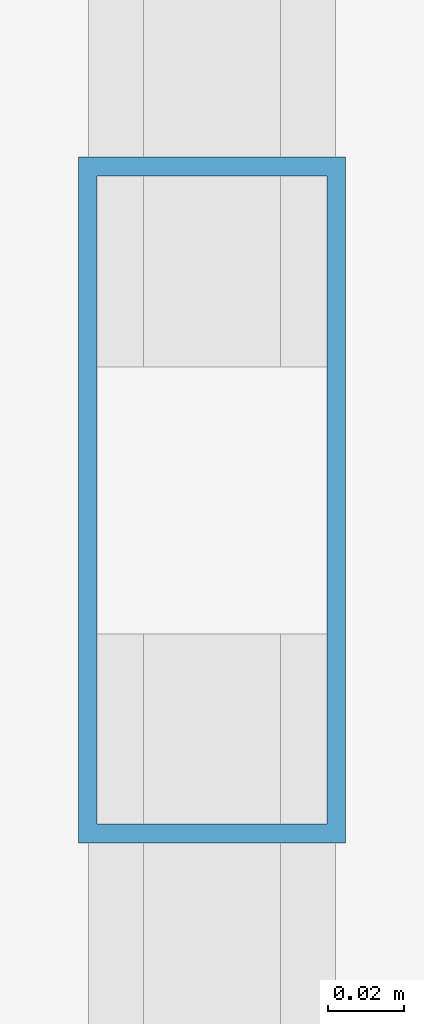
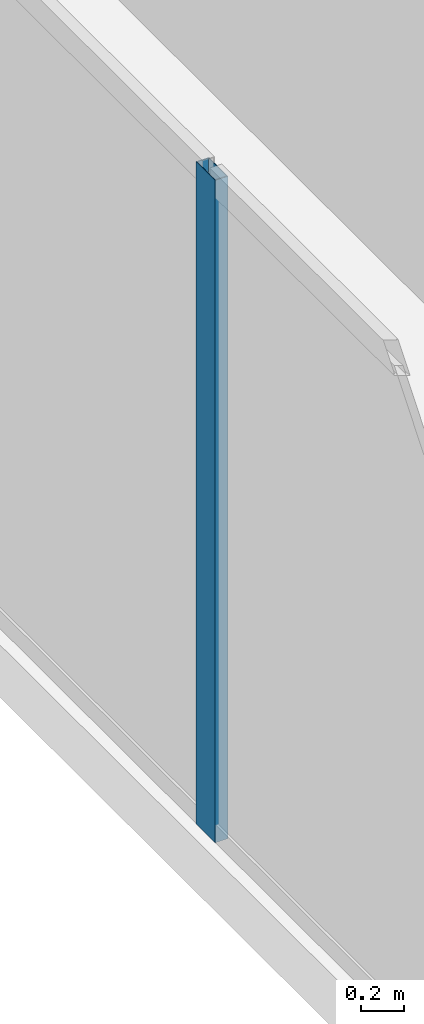
# One storey, part 9 of 33: 1 member, 1 element without a shape of its own.
"""IFC4 building model written with IfcOpenShell, lengths in metres."""

from ifc_helpers import new_model, si_unit, direction, frame, origin, origin_2d, place, context, subcontext, project, spatial, hollow_rectangle, extrude, source, transform, mapped, material, layer, layer_set, material_profile, profile_set, type_object, type_shapes, element, aggregate, save


model = new_model("IFC4")

# Units and contexts
model_context = context("Model", 3, precision=1e-05, world=origin(), true_north=direction((0.0, 1.0)))
body_context = subcontext(model_context, "Body", "Model", "MODEL_VIEW")
ifc_project = project(units=[si_unit("LENGTHUNIT", "METRE"), si_unit("AREAUNIT", "SQUARE_METRE"), si_unit("VOLUMEUNIT", "CUBIC_METRE"), si_unit("PLANEANGLEUNIT", "RADIAN"), si_unit("MASSUNIT", "GRAM", prefix="KILO")], contexts=[model_context])

# Site, building, storey
site_placement = place(None, origin())
site = spatial("IfcSite", under=ifc_project, at=site_placement, CompositionType="ELEMENT")
building_placement = place(site_placement, origin())
building = spatial("IfcBuilding", under=site, at=building_placement, Name="Haelvirn Gate Laboratories", CompositionType="ELEMENT")
storey_placement = place(building_placement, frame((0.0, 0.0, 209.60009765625)))
storey = spatial("IfcBuildingStorey", under=building, at=storey_placement, Name="L50", CompositionType="ELEMENT", Elevation=209.60009765625)

# Curtain wall, member
ifc_material_1 = material(Name="Anodised bronze unitised aluminium & triple low-E glass", Category="aluminium")
ifc_layer = layer(ifc_material_1, 0.176025390625, Name="CW-SYS-4")
ifc_layer_set = layer_set([ifc_layer], Name="Anodised bronze unitised aluminium & triple low-E glass")
curtain_wall_type = type_object("IfcCurtainWallType", Name="CW-SYS-4", PredefinedType="NOTDEFINED", material=ifc_layer_set)
curtain_wall_placement = place(storey_placement, origin())
curtain_wall = element("IfcCurtainWall", 1, at=curtain_wall_placement, inside=storey, type_object=curtain_wall_type, Name="L50 Unitised Curtain Wall CW-L50-P0-E17", PredefinedType="NOTDEFINED")
ifc_material_2 = material(Name="Extruded aluminium 6063-T6 (anodised bronze)", Category="aluminium")
ifc_material_profile = material_profile(ifc_material_2, hollow_rectangle(XDim=0.070068359375, YDim=0.179931640625, WallThickness=0.0048828125, at=origin_2d()), Name="CWM-180x70x5")
ifc_profile_set = profile_set([ifc_material_profile], Name="Extruded aluminium 6063-T6 (anodised bronze)")
member_type = type_object("IfcMemberType", Name="CWM-T180", PredefinedType="MULLION", material=ifc_profile_set)
shared_shape = source(origin(), body_context, "Body", "SweptSolid", [
    extrude(hollow_rectangle(XDim=0.070068359375, YDim=0.179931640625, WallThickness=0.0048828125, at=origin_2d()), origin(), (0.0, 0.0, 1.0), 3.7998046875),
])
type_shapes(member_type, [shared_shape])
member_placement = place(storey_placement, frame((4.10009765625, 24.300048828125, 0.0), z_axis=(0.0, 0.0, 1.0), x_axis=(1.0, 0.0, 0.0)))
member = element("IfcMember", 2, at=member_placement, type_object=member_type, Name="CW4 mullion 2", PredefinedType="MULLION", context=body_context, shape_type="MappedRepresentation", body=[
    mapped(shared_shape, transform((0.0, 0.0, 0.0), scale=1.0)),
])
aggregate(curtain_wall, [member])

save(model, "model.ifc")
